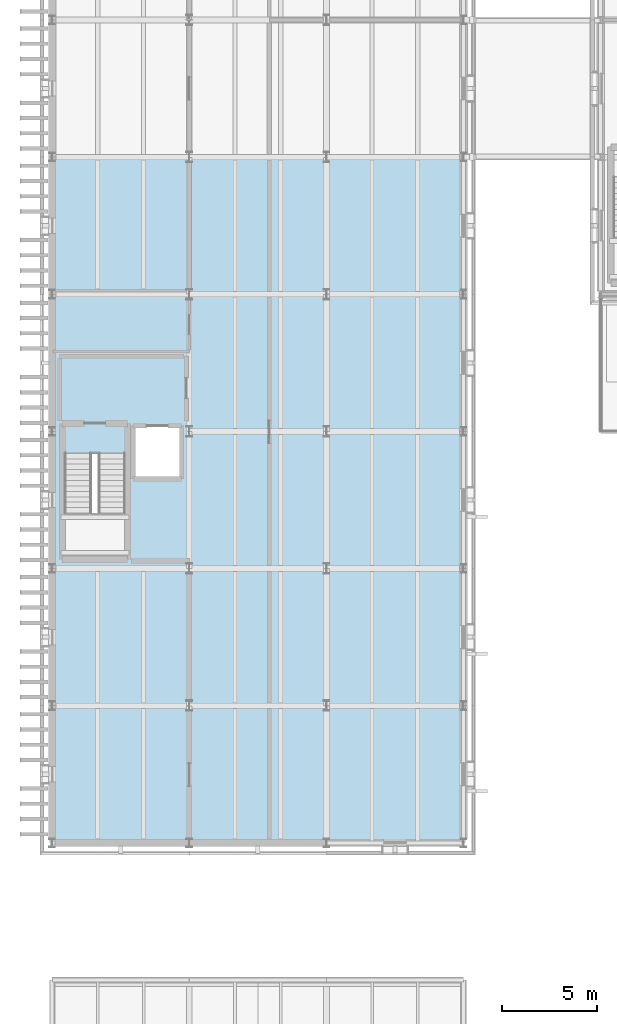
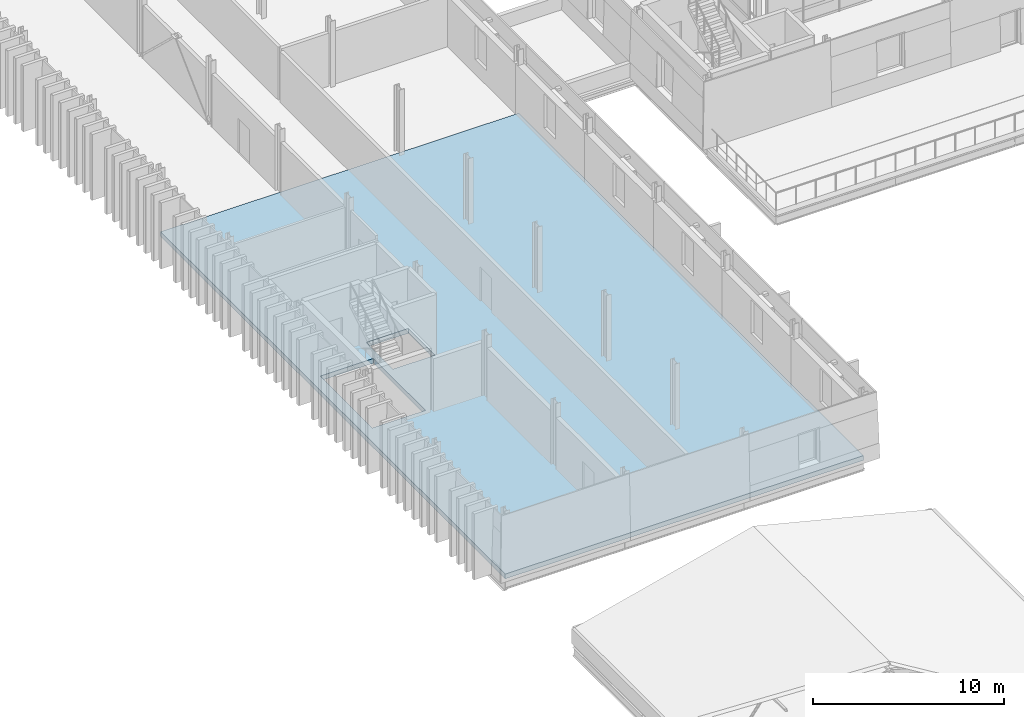
# One storey, part 38 of 91: 1 slab.
"""IFC4 building model written with IfcOpenShell, lengths in metres."""

import ifcopenshell
import ifcopenshell.guid

model = None  # the IFC model being written
_history = None  # IfcOwnerHistory: only IFC2X3 demands one
_inside = {}  # id of a spatial element -> (the spatial element, [elements in it])
_under = {}  # id of a project, library or spatial element -> (it, [spatial elements below it])
_declared = {}  # id of a project -> (the project, [libraries it declares])
_typed = {}  # id of a type object -> (the type object, [elements of that type])
_made_of = {}  # id of a material, layer set ... -> (it, [elements and type objects made of it])


def new_model(schema):
    """Start an empty IFC model of exactly this schema.

    Asked for "IFC4X3", IfcOpenShell would pick the latest addendum, in which some entities
    have other attributes; the version numbers below select the first issue.
    IFC2X3 requires an IfcOwnerHistory on every rooted entity: one is made here for all.
    """
    global model, _history
    if schema == "IFC4X3":
        model = ifcopenshell.file(schema_version=(4, 3, 0, 0))
    else:
        model = ifcopenshell.file(schema=schema)
    _inside.clear()
    _under.clear()
    _declared.clear()
    _typed.clear()
    _made_of.clear()
    _history = None
    if model.schema == "IFC2X3":
        org = make("IfcOrganization", Name="unknown")
        user = make(
            "IfcPersonAndOrganization",
            ThePerson=make("IfcPerson", FamilyName="unknown"),
            TheOrganization=org,
        )
        app = make(
            "IfcApplication",
            ApplicationDeveloper=org,
            Version="unknown",
            ApplicationFullName="unknown",
            ApplicationIdentifier="unknown",
        )
        _history = make(
            "IfcOwnerHistory",
            OwningUser=user,
            OwningApplication=app,
            ChangeAction="ADDED",
            CreationDate=0,
        )
    return model


def make(cls, **values):
    """One entity of the class cls with the attributes given. An attribute that is None is left unset."""
    return model.create_entity(
        cls, **{name: value for name, value in values.items() if value is not None}
    )


def rooted(cls, **values):
    """An entity with a GlobalId (a new one), such as an element, a storey or a relation."""
    return make(cls, GlobalId=ifcopenshell.guid.new(), OwnerHistory=_history, **values)


def si_unit(unit_type, name, prefix=None):
    """IfcSIUnit, for example si_unit("LENGTHUNIT", "METRE", prefix="MILLI")."""
    return make("IfcSIUnit", UnitType=unit_type, Prefix=prefix, Name=name)


def assignment(units):
    """IfcUnitAssignment: the units of a project."""
    return None if units is None else make("IfcUnitAssignment", Units=units)


def point(xyz):
    """IfcCartesianPoint."""
    return None if xyz is None else make("IfcCartesianPoint", Coordinates=xyz)


def direction(xyz):
    """IfcDirection."""
    return None if xyz is None else make("IfcDirection", DirectionRatios=xyz)


def frame(location, z_axis=None, x_axis=None):
    """IfcAxis2Placement3D, a coordinate frame: its origin and axes. An axis left out is left unset."""
    return make(
        "IfcAxis2Placement3D",
        Location=point(location),
        Axis=direction(z_axis),
        RefDirection=direction(x_axis),
    )


def origin():
    """The frame at (0, 0, 0) with its axes left unset."""
    return frame((0.0, 0.0, 0.0))


def place(relative_to, where):
    """IfcLocalPlacement: puts the frame where relative to a parent placement (None: the world)."""
    return make(
        "IfcLocalPlacement", PlacementRelTo=relative_to, RelativePlacement=where
    )


def context(
    kind, dimensions, precision=None, world=None, true_north=None, identifier=None
):
    """IfcGeometricRepresentationContext, for example the 3D "Model" context."""
    return make(
        "IfcGeometricRepresentationContext",
        ContextIdentifier=identifier,
        ContextType=kind,
        CoordinateSpaceDimension=dimensions,
        Precision=precision,
        WorldCoordinateSystem=world,
        TrueNorth=true_north,
    )


def subcontext(parent, identifier, kind, view, scale=None):
    """IfcGeometricRepresentationSubContext, for example "Body" below "Model"."""
    return make(
        "IfcGeometricRepresentationSubContext",
        ContextIdentifier=identifier,
        ContextType=kind,
        ParentContext=parent,
        TargetScale=scale,
        TargetView=view,
    )


def project(units=None, contexts=None):
    """IfcProject with its units and contexts."""
    return rooted(
        "IfcProject",
        Name="project",
        RepresentationContexts=contexts,
        UnitsInContext=assignment(units),
    )


def spatial(cls, under=None, at=None, **own):
    """A site, building, storey or space (cls), placed at a placement, below another one or the project."""
    s = rooted(cls, ObjectPlacement=at, **own)
    if under is not None:
        _under.setdefault(under.id(), (under, []))[1].append(s)
    return s


def polyline(points):
    """IfcPolyline through the points."""
    return make("IfcPolyline", Points=[point(p) for p in points])


def outline(outer, holes=None, kind="AREA"):
    """IfcArbitraryClosedProfileDef: a profile drawn as a closed curve; with holes, ...WithVoids."""
    if holes is None:
        return make("IfcArbitraryClosedProfileDef", ProfileType=kind, OuterCurve=outer)
    return make(
        "IfcArbitraryProfileDefWithVoids",
        ProfileType=kind,
        OuterCurve=outer,
        InnerCurves=holes,
    )


def extrude(swept, where, along, depth):
    """IfcExtrudedAreaSolid: the profile swept, set in the frame where, extruded along a direction by depth."""
    return make(
        "IfcExtrudedAreaSolid",
        SweptArea=swept,
        Position=where,
        ExtrudedDirection=direction(along),
        Depth=depth,
    )


def shape(context_of_items, identifier, shape_type, items):
    """IfcShapeRepresentation: the items that make up one representation, for example the "Body"."""
    return make(
        "IfcShapeRepresentation",
        ContextOfItems=context_of_items,
        RepresentationIdentifier=identifier,
        RepresentationType=shape_type,
        Items=items,
    )


def material(Name=None, Category=None):
    """IfcMaterial."""
    return make("IfcMaterial", Name=Name, Category=Category)


def layer(
    of_material, thickness, ventilated=None, Name=None, Category=None, Priority=None
):
    """IfcMaterialLayer: one layer of a wall or slab, of a material (None: an air gap)."""
    return make(
        "IfcMaterialLayer",
        Material=of_material,
        LayerThickness=thickness,
        IsVentilated=ventilated,
        Name=Name,
        Category=Category,
        Priority=Priority,
    )


def layer_set(layers, Name=None):
    """IfcMaterialLayerSet."""
    return make("IfcMaterialLayerSet", MaterialLayers=layers, LayerSetName=Name)


def made_of(thing, what):
    """Note that an element or type object is made of a material, layer set ...; save() writes the relation."""
    if what is not None:
        _made_of.setdefault(what.id(), (what, []))[1].append(thing)
    return thing


def type_object(cls, material=None, **own):
    """A type object (cls), such as IfcWallType, which elements share."""
    return made_of(rooted(cls, **own), material)


def element(
    cls,
    number,
    at=None,
    inside=None,
    cuts=None,
    type_object=None,
    material=None,
    context=None,
    identifier="Body",
    shape_type=None,
    held_by="IfcProductDefinitionShape",
    body=None,
    shapes=None,
    **own,
):
    """One element of the class cls, such as IfcWall. Its Tag is "e" and its number.

    at: its placement. inside: the storey or other place that contains it. cuts: it is an
    opening in that element (IfcRelVoidsElement). A single representation is given by context,
    identifier, shape_type and body (its items); several are given by shapes. held_by: the class
    of the entity that holds the representations. save() writes the other relations.
    """
    e = rooted(cls, Tag="e%d" % number, ObjectPlacement=at, **own)
    if body is not None:
        shapes = [shape(context, identifier, shape_type, body)]
    if shapes is not None:
        e.Representation = make(held_by, Representations=shapes)
    if inside is not None:
        _inside.setdefault(inside.id(), (inside, []))[1].append(e)
    if cuts is not None:
        rooted(
            "IfcRelVoidsElement", RelatingBuildingElement=cuts, RelatedOpeningElement=e
        )
    if type_object is not None:
        _typed.setdefault(type_object.id(), (type_object, []))[1].append(e)
    return made_of(e, material)


def aggregate(whole, parts):
    """IfcRelAggregates: a whole, such as a stair, and the parts it consists of."""
    return rooted("IfcRelAggregates", RelatingObject=whole, RelatedObjects=parts)


def save(model, path):
    """Write the relations noted so far, then the file.

    IfcRelAggregates (storeys below a building ...), IfcRelContainedInSpatialStructure (elements
    in a storey), IfcRelDefinesByType, IfcRelAssociatesMaterial and IfcRelDeclares: one each for
    every whole, place, type object, material and project.
    """
    for whole, parts in _under.values():
        aggregate(whole, parts)
    for where, things in _inside.values():
        rooted(
            "IfcRelContainedInSpatialStructure",
            RelatedElements=things,
            RelatingStructure=where,
        )
    for kind, things in _typed.values():
        rooted("IfcRelDefinesByType", RelatedObjects=things, RelatingType=kind)
    for what, things in _made_of.values():
        rooted("IfcRelAssociatesMaterial", RelatedObjects=things, RelatingMaterial=what)
    for by, libraries in _declared.values():
        rooted("IfcRelDeclares", RelatingContext=by, RelatedDefinitions=libraries)
    model.write(path)


model = new_model("IFC4")

# Units and contexts
model_context = context("Model", 3, precision=1e-05, world=origin(), true_north=direction((0.0, 1.0)))
body_context = subcontext(model_context, "Body", "Model", "MODEL_VIEW")
ifc_project = project(units=[si_unit("LENGTHUNIT", "METRE"), si_unit("AREAUNIT", "SQUARE_METRE"), si_unit("VOLUMEUNIT", "CUBIC_METRE"), si_unit("PLANEANGLEUNIT", "RADIAN"), si_unit("MASSUNIT", "GRAM", prefix="KILO")], contexts=[model_context])

# Site, building, storey
site_placement = place(None, origin())
site = spatial("IfcSite", under=ifc_project, at=site_placement, CompositionType="ELEMENT")
building_placement = place(site_placement, origin())
building = spatial("IfcBuilding", under=site, at=building_placement, Name="Narikvali Park Central Library", CompositionType="ELEMENT")
storey_placement = place(building_placement, frame((0.0, 0.0, 14.39990234375)))
storey = spatial("IfcBuildingStorey", under=building, at=storey_placement, Name="L03", CompositionType="ELEMENT", Elevation=14.39990234375)

# Slab
ifc_material = material(Name="Concrete C40/50", Category="concrete")
ifc_layer = layer(ifc_material, 0.300048828125, Name="Concrete C40/50")
ifc_layer_set = layer_set([ifc_layer], Name="Concrete C40/50")
slab_type = type_object("IfcSlabType", Name="Heavy Stack Composite Slab 300", PredefinedType="FLOOR", material=ifc_layer_set)
slab_placement = place(storey_placement, frame((0.0, 0.0, -0.2998046875)))
element("IfcSlab", 1, at=slab_placement, inside=storey, type_object=slab_type, Name="V5 L03 Structural Slab Panel 1", PredefinedType="FLOOR", context=body_context, shape_type="SweptSolid", body=[
    extrude(outline(polyline([(0.0, 28.800048828125), (21.60009765625, 28.800048828125), (21.60009765625, 64.800048828125), (0.0, 64.800048828125), (0.0, 28.800048828125)]), holes=[polyline([(0.64990234375, 43.800048828125), (3.85009765625, 43.800048828125), (3.85009765625, 49.25), (0.64990234375, 49.25), (0.64990234375, 43.800048828125)]), polyline([(4.25, 47.89990234375), (6.800048828125, 47.89990234375), (6.800048828125, 50.699951171875), (4.25, 50.699951171875), (4.25, 47.89990234375)])]), origin(), (0.0, 0.0, 1.0), 0.2998046875),
])

save(model, "model.ifc")
